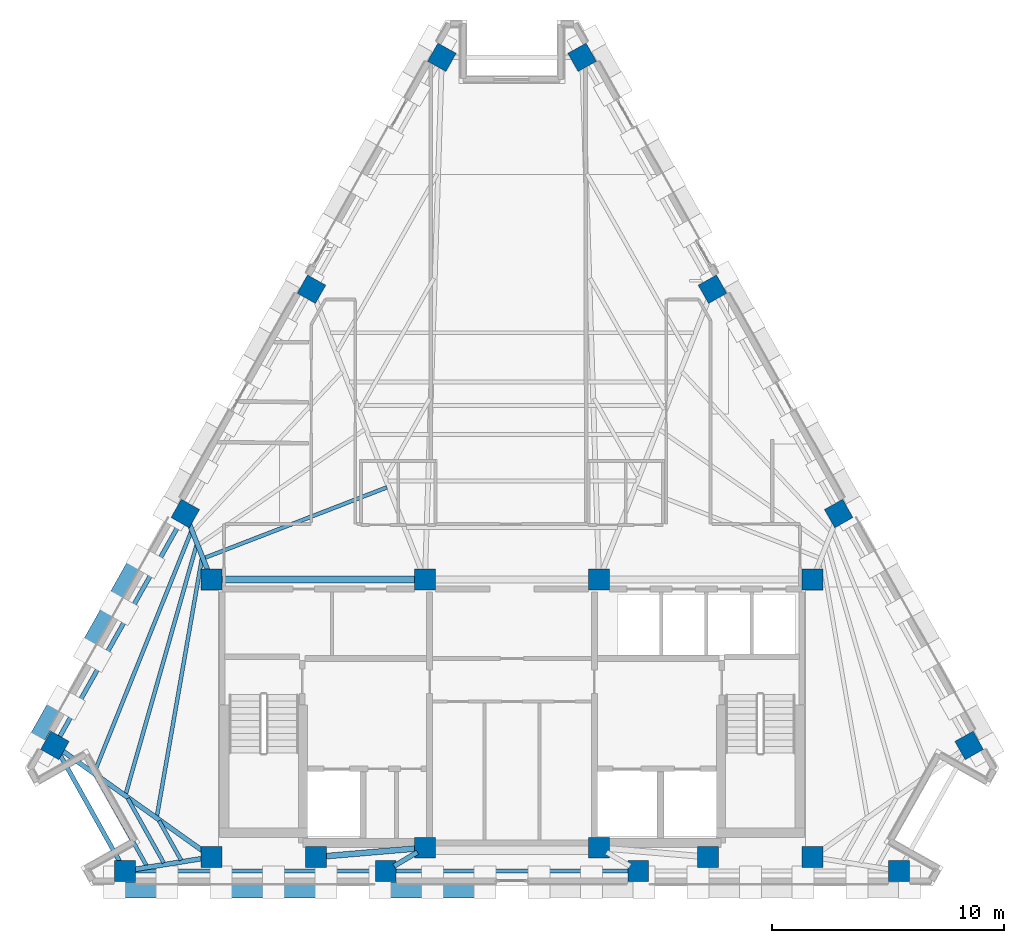
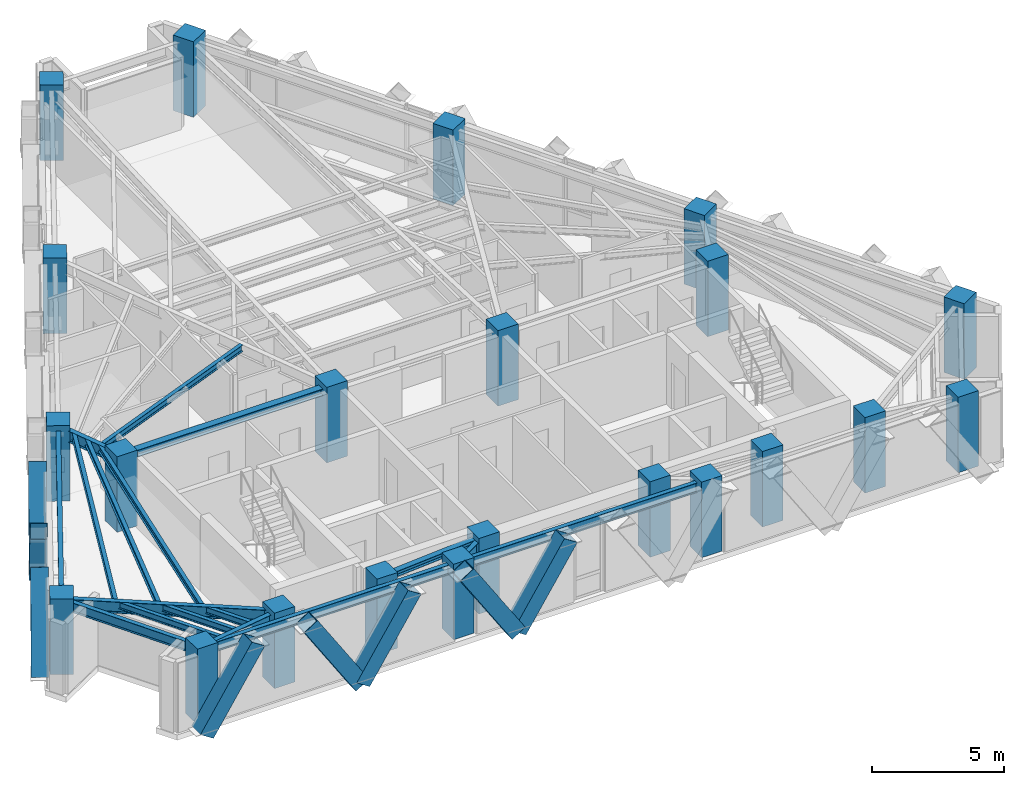
# One storey, part 1 of 12: 22 columns, 17 beams, 8 members.
"""IFC4 building model written with IfcOpenShell, lengths in metres."""

from ifc_helpers import new_model, si_unit, direction, frame, origin, origin_2d, place, context, subcontext, project, spatial, rectangle, hollow_rectangle, i_section, extrude, material, material_profile, profile_set, type_object, element, save


model = new_model("IFC4")

# Units and contexts
model_context = context("Model", 3, precision=1e-05, world=origin(), true_north=direction((0.0, 1.0)))
body_context = subcontext(model_context, "Body", "Model", "MODEL_VIEW")
ifc_project = project(units=[si_unit("LENGTHUNIT", "METRE"), si_unit("AREAUNIT", "SQUARE_METRE"), si_unit("VOLUMEUNIT", "CUBIC_METRE"), si_unit("PLANEANGLEUNIT", "RADIAN"), si_unit("MASSUNIT", "GRAM", prefix="KILO")], contexts=[model_context])

# Site, building, storey
site_placement = place(None, origin())
site = spatial("IfcSite", under=ifc_project, at=site_placement, CompositionType="ELEMENT")
building_placement = place(site_placement, origin())
building = spatial("IfcBuilding", under=site, at=building_placement, Name="Quenlor Broadcast Tower", CompositionType="ELEMENT")
storey_placement = place(building_placement, frame((0.0, 0.0, 200.89990234375)))
storey = spatial("IfcBuildingStorey", under=building, at=storey_placement, Name="L55", CompositionType="ELEMENT", Elevation=200.89990234375)

# Columns
ifc_material_1 = material(Name="Concrete C50/60", Category="concrete")
ifc_material_profile_1 = material_profile(ifc_material_1, rectangle(XDim=0.89990234375, YDim=0.89990234375, at=origin_2d()))
ifc_profile_set_1 = profile_set([ifc_material_profile_1], Name="Concrete C50/60 RC900x900")
column_type_1 = type_object("IfcColumnType", Name="Core Corner Column Upper Concrete C50/60 900", PredefinedType="COLUMN", material=ifc_profile_set_1)
for number, where, z_axis, x_axis, name in (
    (1, (-12.949951171875, -16.75, 0.0), (0.0, 0.0, 1.0), (1.0, 0.0, 0.0), "L55 Core Column CC1"),
    (2, (-8.449951171875, -16.75, 0.0), (0.0, 0.0, 1.0), (1.0, 0.0, 0.0), "L55 Core Column CC2"),
    (3, (-3.75, -16.35009765625, 0.0), (0.0, 0.0, 1.0), (1.0, 0.0, 0.0), "L55 Core Column CC3"),
    (4, (3.75, -16.35009765625, 0.0), (0.0, 0.0, 1.0), (1.0, 0.0, 0.0), "L55 Core Column CC4"),
    (5, (8.449951171875, -16.75, 0.0), (0.0, 0.0, 1.0), (1.0, 0.0, 0.0), "L55 Core Column CC5"),
    (6, (12.949951171875, -16.75, 0.0), (0.0, 0.0, 1.0), (1.0, 0.0, 0.0), "L55 Core Column CC6"),
    (7, (-12.949951171875, -4.800048828125, 0.0), (0.0, 0.0, 1.0), (1.0, 0.0, 0.0), "L55 Core Column CC7"),
    (8, (-3.75, -4.800048828125, 0.0), (0.0, 0.0, 1.0), (1.0, 0.0, 0.0), "L55 Core Column CC8"),
    (9, (3.75, -4.800048828125, 0.0), (0.0, 0.0, 1.0), (1.0, 0.0, 0.0), "L55 Core Column CC9"),
    (10, (12.949951171875, -4.800048828125, 0.0), (0.0, 0.0, 1.0), (1.0, 0.0, 0.0), "L55 Core Column CC10"),
):
    element("IfcColumn", number, at=place(storey_placement, frame(where, z_axis=z_axis, x_axis=x_axis)), inside=storey, type_object=column_type_1, Name=name, PredefinedType="COLUMN", context=body_context, shape_type="SweptSolid", body=[
        extrude(rectangle(XDim=0.89990234375, YDim=0.89990234375, at=origin_2d()), origin(), (0.0, 0.0, 1.0), 3.5),
    ])
ifc_material_2 = material(Name="Concrete C50/60", Category="concrete")
ifc_material_profile_2 = material_profile(ifc_material_2, rectangle(XDim=0.89990234375, YDim=0.89990234375, at=origin_2d()))
ifc_profile_set_2 = profile_set([ifc_material_profile_2], Name="Concrete C50/60 RC900x900")
column_type_2 = type_object("IfcColumnType", Name="Tower Perimeter Column Z4 Concrete C50/60 900", PredefinedType="COLUMN", material=ifc_profile_set_2)
for number, where, z_axis, x_axis, name in (
    (11, (-16.67578125, -17.35009765625, 0.0), (0.0, 0.0, 1.0), (0.0, 1.0, 0.0), "L55 Perimeter Column S1"),
    (12, (-5.437744140625, -17.35009765625, 0.0), (0.0, 0.0, 1.0), (0.0, 1.0, 0.0), "L55 Perimeter Column S2"),
    (13, (5.437744140625, -17.35009765625, 0.0), (0.0, 0.0, 1.0), (0.0, 1.0, 0.0), "L55 Perimeter Column S3"),
    (14, (16.67578125, -17.35009765625, 0.0), (0.0, 0.0, 1.0), (0.0, 1.0, 0.0), "L55 Perimeter Column S4"),
    (15, (19.696533203125, -11.941650390625, 0.0), (0.0, 0.0, 1.0), (0.871575139605, 0.490261946333, 0.0), "L55 Perimeter Column NE1"),
    (16, (14.077392578125, -1.952392578125, 0.0), (0.0, 0.0, 1.0), (0.871575139605, 0.490261946333, 0.0), "L55 Perimeter Column NE2"),
    (17, (8.6396484375, 7.71484375, 0.0), (0.0, 0.0, 1.0), (0.871575139605, 0.490261946333, 0.0), "L55 Perimeter Column NE3"),
    (18, (3.0205078125, 17.704345703125, 0.0), (0.0, 0.0, 1.0), (0.871575139605, 0.490261946333, 0.0), "L55 Perimeter Column NE4"),
    (19, (-3.0205078125, 17.704345703125, 0.0), (0.0, 0.0, 1.0), (-0.871575139605, 0.490261946333, 0.0), "L55 Perimeter Column NW1"),
    (20, (-8.6396484375, 7.71484375, 0.0), (0.0, 0.0, 1.0), (-0.871575139605, 0.490261946333, 0.0), "L55 Perimeter Column NW2"),
    (21, (-14.077392578125, -1.952392578125, 0.0), (0.0, 0.0, 1.0), (-0.871575139605, 0.490261946333, 0.0), "L55 Perimeter Column NW3"),
    (22, (-19.696533203125, -11.941650390625, 0.0), (0.0, 0.0, 1.0), (-0.871575139605, 0.490261946333, 0.0), "L55 Perimeter Column NW4"),
):
    element("IfcColumn", number, at=place(storey_placement, frame(where, z_axis=z_axis, x_axis=x_axis)), inside=storey, type_object=column_type_2, Name=name, PredefinedType="COLUMN", context=body_context, shape_type="SweptSolid", body=[
        extrude(rectangle(XDim=0.89990234375, YDim=0.89990234375, at=origin_2d()), origin(), (0.0, 0.0, 1.0), 3.5),
    ])

# Beams
ifc_material_3 = material(Name="Steel S355", Category="steel")
ifc_material_profile_3 = material_profile(ifc_material_3, i_section(OverallWidth=0.25390625, OverallDepth=0.25390625, WebThickness=0.008544921875, FlangeThickness=0.01416015625, FilletRadius=0.013916015625, at=origin_2d()))
ifc_profile_set_3 = profile_set([ifc_material_profile_3], Name="Steel S355 250UC72.9")
beam_type_1 = type_object("IfcBeamType", Name="Core Opening Lintel Beam Steel S355 250UC72.9", PredefinedType="LINTEL", material=ifc_profile_set_3)
beam_1_placement = place(storey_placement, frame((-8.09130859375, -16.719482421875, 3.123291015625), z_axis=(0.996399763903, 0.084779186679, 0.0), x_axis=(-0.084779186679, 0.996399763903, 0.0)))
element("IfcBeam", 23, at=beam_1_placement, inside=storey, type_object=beam_type_1, Name="L55 Core Opening Lintel Beam 4", PredefinedType="LINTEL", context=body_context, shape_type="SweptSolid", body=[
    extrude(i_section(OverallWidth=0.25390625, OverallDepth=0.25390625, WebThickness=0.008544921875, FlangeThickness=0.01416015625, FilletRadius=0.013916015625, at=origin_2d()), origin(), (0.0, 0.0, 1.0), 3.9970703125),
])
ifc_material_4 = material(Name="Steel S355", Category="steel")
ifc_material_profile_4 = material_profile(ifc_material_4, i_section(OverallWidth=0.306884765625, OverallDepth=0.314697265625, WebThickness=0.011962890625, FlangeThickness=0.018798828125, FilletRadius=0.0166015625, at=origin_2d()))
ifc_profile_set_4 = profile_set([ifc_material_profile_4], Name="Steel S355 310UC118")
beam_type_2 = type_object("IfcBeamType", Name="Core Tie Beam Steel S355 310UC118", PredefinedType="BEAM", material=ifc_profile_set_4)
beam_2_placement = place(storey_placement, frame((-12.590087890625, -4.800048828125, 3.0927734375), z_axis=(1.0, 0.0, 0.0), x_axis=(0.0, 1.0, 0.0)))
element("IfcBeam", 24, at=beam_2_placement, inside=storey, type_object=beam_type_2, Name="L55 Core Tie Beam 1", PredefinedType="BEAM", context=body_context, shape_type="SweptSolid", body=[
    extrude(i_section(OverallWidth=0.306884765625, OverallDepth=0.314697265625, WebThickness=0.011962890625, FlangeThickness=0.018798828125, FilletRadius=0.0166015625, at=origin_2d()), origin(), (0.0, 0.0, 1.0), 8.47998046875),
])

# Members
ifc_material_5 = material(Name="Steel S355", Category="steel")
ifc_material_profile_5 = material_profile(ifc_material_5, hollow_rectangle(XDim=0.679931640625, YDim=0.679931640625, WallThickness=0.02490234375, at=origin_2d()))
ifc_profile_set_5 = profile_set([ifc_material_profile_5], Name="Steel S355 RHS680x680x25")
member_type = type_object("IfcMemberType", Name="Perimeter Diagonal Lattice Brace Z3-Z4 Steel S355 RHS680x25", PredefinedType="BRACE", material=ifc_profile_set_5)
for number, where, z_axis, x_axis, name in (
    (25, (-3.41162109375, -18.169921875, -0.119873046875), (0.541794306908, 0.0, 0.840511111766), (0.0, 1.0, 0.0), "L55 Perimeter Diamond Lattice S-C3B"),
    (26, (-3.43896484375, -18.169921875, -0.119873046875), (-0.541794306908, 0.0, 0.840511111766), (0.0, -1.0, 0.0), "L55 Perimeter Diamond Lattice S-C4S"),
    (27, (-10.261962890625, -18.169921875, -0.119873046875), (0.541794306908, 0.0, 0.840511111766), (0.0, 1.0, 0.0), "L55 Perimeter Diamond Lattice S-C4B"),
    (28, (-10.289306640625, -18.169921875, -0.119873046875), (-0.541794306908, 0.0, 0.840511111766), (0.0, -1.0, 0.0), "L55 Perimeter Diamond Lattice S-C5S"),
    (29, (-17.1123046875, -18.169921875, -0.119873046875), (0.541794306908, 0.0, 0.840511111766), (0.0, 1.0, 0.0), "L55 Perimeter Diamond Lattice S-C5B"),
):
    element("IfcMember", number, at=place(storey_placement, frame(where, z_axis=z_axis, x_axis=x_axis)), inside=storey, type_object=member_type, Name=name, PredefinedType="BRACE", context=body_context, shape_type="SweptSolid", body=[
        extrude(hollow_rectangle(XDim=0.679931640625, YDim=0.679931640625, WallThickness=0.02490234375, at=origin_2d()), origin(), (0.0, 0.0, 1.0), 4.1640625),
    ])
member_1_placement = place(storey_placement, frame((-20.63916015625, -11.94482421875, -0.119873046875), z_axis=(0.269547055694, 0.479136497832, 0.835327840559), x_axis=(-0.871550060774, 0.49030652817, 0.0)))
element("IfcMember", 30, at=member_1_placement, inside=storey, type_object=member_type, Name="L55 Perimeter Diamond Lattice NW-C1S", PredefinedType="BRACE", context=body_context, shape_type="SweptSolid", body=[
    extrude(hollow_rectangle(XDim=0.679931640625, YDim=0.679931640625, WallThickness=0.02490234375, at=origin_2d()), origin(), (0.0, 0.0, 1.0), 4.18994140625),
])
member_2_placement = place(storey_placement, frame((-17.2236328125, -5.873046875, -0.119873046875), z_axis=(-0.269539530269, -0.479181387144, 0.835304519224), x_axis=(0.871575537125, -0.490261239633, 0.0)))
element("IfcMember", 31, at=member_2_placement, inside=storey, type_object=member_type, Name="L55 Perimeter Diamond Lattice NW-C1B", PredefinedType="BRACE", context=body_context, shape_type="SweptSolid", body=[
    extrude(hollow_rectangle(XDim=0.679931640625, YDim=0.679931640625, WallThickness=0.02490234375, at=origin_2d()), origin(), (0.0, 0.0, 1.0), 4.190185546875),
])
member_3_placement = place(storey_placement, frame((-17.2099609375, -5.8486328125, -0.119873046875), z_axis=(0.269547055694, 0.479136497832, 0.835327840559), x_axis=(-0.871550060774, 0.49030652817, 0.0)))
element("IfcMember", 32, at=member_3_placement, inside=storey, type_object=member_type, Name="L55 Perimeter Diamond Lattice NW-C2S", PredefinedType="BRACE", context=body_context, shape_type="SweptSolid", body=[
    extrude(hollow_rectangle(XDim=0.679931640625, YDim=0.679931640625, WallThickness=0.02490234375, at=origin_2d()), origin(), (0.0, 0.0, 1.0), 4.18994140625),
])

# Beams
ifc_material_6 = material(Name="Steel S355", Category="steel")
ifc_material_profile_6 = material_profile(ifc_material_6, i_section(OverallWidth=0.18994140625, OverallDepth=0.453857421875, WebThickness=0.008544921875, FlangeThickness=0.0126953125, FilletRadius=0.011474609375, at=origin_2d()))
ifc_profile_set_6 = profile_set([ifc_material_profile_6], Name="Steel S355 460UB67.1")
beam_type_3 = type_object("IfcBeamType", Name="Perimeter Spandrel Beam Z4 Steel S355 460UB67.1", PredefinedType="SPANDREL", material=ifc_profile_set_6)
beam_3_placement = place(storey_placement, frame((-16.265869140625, -17.35009765625, 3.023193359375), z_axis=(1.0, 0.0, 0.0), x_axis=(0.0, 1.0, 0.0)))
element("IfcBeam", 33, at=beam_3_placement, inside=storey, type_object=beam_type_3, Name="L55 Spandrel Beam S1-S2", PredefinedType="SPANDREL", context=body_context, shape_type="SweptSolid", body=[
    extrude(i_section(OverallWidth=0.18994140625, OverallDepth=0.453857421875, WebThickness=0.008544921875, FlangeThickness=0.0126953125, FilletRadius=0.011474609375, at=origin_2d()), origin(), (0.0, 0.0, 1.0), 10.41796875),
])
beam_4_placement = place(storey_placement, frame((-5.02783203125, -17.35009765625, 3.023193359375), z_axis=(1.0, 0.0, 0.0), x_axis=(0.0, 1.0, 0.0)))
element("IfcBeam", 34, at=beam_4_placement, inside=storey, type_object=beam_type_3, Name="L55 Spandrel Beam S2-S3", PredefinedType="SPANDREL", context=body_context, shape_type="SweptSolid", body=[
    extrude(i_section(OverallWidth=0.18994140625, OverallDepth=0.453857421875, WebThickness=0.008544921875, FlangeThickness=0.0126953125, FilletRadius=0.011474609375, at=origin_2d()), origin(), (0.0, 0.0, 1.0), 10.0556640625),
])
beam_5_placement = place(storey_placement, frame((-14.2783203125, -2.3095703125, 3.023193359375), z_axis=(-0.490272131974, -0.871569410093, 0.0), x_axis=(0.871569410093, -0.490272131974, 0.0)))
element("IfcBeam", 35, at=beam_5_placement, inside=storey, type_object=beam_type_3, Name="L55 Spandrel Beam NW3-NW4", PredefinedType="SPANDREL", context=body_context, shape_type="SweptSolid", body=[
    extrude(i_section(OverallWidth=0.18994140625, OverallDepth=0.453857421875, WebThickness=0.008544921875, FlangeThickness=0.0126953125, FilletRadius=0.011474609375, at=origin_2d()), origin(), (0.0, 0.0, 1.0), 10.6416015625),
])
beam_6_placement = place(storey_placement, frame((-19.49658203125, -12.2998046875, 3.023193359375), z_axis=(0.487647250206, -0.8730407547, 0.0), x_axis=(0.8730407547, 0.487647250206, 0.0)))
element("IfcBeam", 36, at=beam_6_placement, inside=storey, type_object=beam_type_3, Name="L55 Spandrel Beam NW4-S1", PredefinedType="SPANDREL", context=body_context, shape_type="SweptSolid", body=[
    extrude(i_section(OverallWidth=0.18994140625, OverallDepth=0.453857421875, WebThickness=0.008544921875, FlangeThickness=0.0126953125, FilletRadius=0.011474609375, at=origin_2d()), origin(), (0.0, 0.0, 1.0), 5.37451171875),
])
ifc_material_7 = material(Name="Steel S355", Category="steel")
ifc_material_profile_7 = material_profile(ifc_material_7, i_section(OverallWidth=0.166015625, OverallDepth=0.30712890625, WebThickness=0.006591796875, FlangeThickness=0.01171875, FilletRadius=0.011474609375, at=origin_2d()))
ifc_profile_set_7 = profile_set([ifc_material_profile_7], Name="Steel S355 310UB46.2")
beam_type_4 = type_object("IfcBeamType", Name="Tower Composite Joist Z4-Z5 Steel S355 310UB46.2", PredefinedType="JOIST", material=ifc_profile_set_7)
beam_7_placement = place(storey_placement, frame((-13.236083984375, -3.85986328125, 3.096435546875), z_axis=(0.932639299023, 0.360810113381, 0.0), x_axis=(-0.360810113381, 0.932639299023, 0.0)))
element("IfcBeam", 37, at=beam_7_placement, inside=storey, type_object=beam_type_4, Name="L55 Secondary Composite Joist 7", PredefinedType="JOIST", context=body_context, shape_type="SweptSolid", body=[
    extrude(i_section(OverallWidth=0.166015625, OverallDepth=0.30712890625, WebThickness=0.006591796875, FlangeThickness=0.01171875, FilletRadius=0.011474609375, at=origin_2d()), origin(), (0.0, 0.0, 1.0), 8.413330078125),
])
beam_8_placement = place(storey_placement, frame((-15.297607421875, -14.98828125, 3.096435546875), z_axis=(0.172003691938, 0.985096304916, 0.0), x_axis=(-0.985096304916, 0.172003691938, 0.0)))
element("IfcBeam", 38, at=beam_8_placement, inside=storey, type_object=beam_type_4, Name="L55 Secondary Composite Joist 13", PredefinedType="JOIST", context=body_context, shape_type="SweptSolid", body=[
    extrude(i_section(OverallWidth=0.166015625, OverallDepth=0.30712890625, WebThickness=0.006591796875, FlangeThickness=0.01171875, FilletRadius=0.011474609375, at=origin_2d()), origin(), (0.0, 0.0, 1.0), 11.274169921875),
])
beam_9_placement = place(storey_placement, frame((-16.638671875, -14.028564453125, 3.096435546875), z_axis=(0.273447576454, 0.961886907558, 0.0), x_axis=(-0.961886907558, 0.273447576454, 0.0)))
element("IfcBeam", 39, at=beam_9_placement, inside=storey, type_object=beam_type_4, Name="L55 Secondary Composite Joist 14", PredefinedType="JOIST", context=body_context, shape_type="SweptSolid", body=[
    extrude(i_section(OverallWidth=0.166015625, OverallDepth=0.30712890625, WebThickness=0.006591796875, FlangeThickness=0.01171875, FilletRadius=0.011474609375, at=origin_2d()), origin(), (0.0, 0.0, 1.0), 11.142333984375),
])
beam_10_placement = place(storey_placement, frame((-17.97998046875, -13.069580078125, 3.096435546875), z_axis=(0.373094895103, 0.927793187757, 0.0), x_axis=(-0.927793187757, 0.373094895103, 0.0)))
element("IfcBeam", 40, at=beam_10_placement, inside=storey, type_object=beam_type_4, Name="L55 Secondary Composite Joist 15", PredefinedType="JOIST", context=body_context, shape_type="SweptSolid", body=[
    extrude(i_section(OverallWidth=0.166015625, OverallDepth=0.30712890625, WebThickness=0.006591796875, FlangeThickness=0.01171875, FilletRadius=0.011474609375, at=origin_2d()), origin(), (0.0, 0.0, 1.0), 11.13525390625),
])
beam_11_placement = place(storey_placement, frame((-14.255859375, -16.88427734375, 3.096435546875), z_axis=(-0.487590799665, 0.873072283423, 0.0), x_axis=(-0.873072283423, -0.487590799665, 0.0)))
element("IfcBeam", 41, at=beam_11_placement, inside=storey, type_object=beam_type_4, Name="L55 Secondary Composite Joist 19", PredefinedType="JOIST", context=body_context, shape_type="SweptSolid", body=[
    extrude(i_section(OverallWidth=0.166015625, OverallDepth=0.30712890625, WebThickness=0.006591796875, FlangeThickness=0.01171875, FilletRadius=0.011474609375, at=origin_2d()), origin(), (0.0, 0.0, 1.0), 1.9462890625),
])
beam_12_placement = place(storey_placement, frame((-15.0009765625, -17.004150390625, 3.096435546875), z_axis=(-0.487646119388, 0.87304138633, 0.0), x_axis=(-0.87304138633, -0.487646119388, 0.0)))
element("IfcBeam", 42, at=beam_12_placement, inside=storey, type_object=beam_type_4, Name="L55 Secondary Composite Joist 20", PredefinedType="JOIST", context=body_context, shape_type="SweptSolid", body=[
    extrude(i_section(OverallWidth=0.166015625, OverallDepth=0.30712890625, WebThickness=0.006591796875, FlangeThickness=0.01171875, FilletRadius=0.011474609375, at=origin_2d()), origin(), (0.0, 0.0, 1.0), 3.18505859375),
])
beam_13_placement = place(storey_placement, frame((-15.74609375, -17.124267578125, 3.096435546875), z_axis=(-0.487604899573, 0.873064408799, 0.0), x_axis=(-0.873064408799, -0.487604899573, 0.0)))
element("IfcBeam", 43, at=beam_13_placement, inside=storey, type_object=beam_type_4, Name="L55 Secondary Composite Joist 21", PredefinedType="JOIST", context=body_context, shape_type="SweptSolid", body=[
    extrude(i_section(OverallWidth=0.166015625, OverallDepth=0.30712890625, WebThickness=0.006591796875, FlangeThickness=0.01171875, FilletRadius=0.011474609375, at=origin_2d()), origin(), (0.0, 0.0, 1.0), 4.424072265625),
])
ifc_material_8 = material(Name="Steel S355", Category="steel")
ifc_material_profile_8 = material_profile(ifc_material_8, i_section(OverallWidth=0.208984375, OverallDepth=0.5283203125, WebThickness=0.009521484375, FlangeThickness=0.01318359375, FilletRadius=0.013916015625, at=origin_2d()))
ifc_profile_set_8 = profile_set([ifc_material_profile_8], Name="Steel S355 530UB82.0")
beam_type_5 = type_object("IfcBeamType", Name="Tower Primary Floor Beam Z4 Steel S355 530UB82.0", PredefinedType="BEAM", material=ifc_profile_set_8)
beam_14_placement = place(storey_placement, frame((-16.27099609375, -17.284912109375, 2.986083984375), z_axis=(0.987268490875, 0.159062650942, 0.0), x_axis=(-0.159062650942, 0.987268490875, 0.0)))
element("IfcBeam", 44, at=beam_14_placement, inside=storey, type_object=beam_type_5, Name="L55 Primary Radial Beam S1", PredefinedType="BEAM", context=body_context, shape_type="SweptSolid", body=[
    extrude(i_section(OverallWidth=0.208984375, OverallDepth=0.5283203125, WebThickness=0.009521484375, FlangeThickness=0.01318359375, FilletRadius=0.013916015625, at=origin_2d()), origin(), (0.0, 0.0, 1.0), 2.98388671875),
])
beam_15_placement = place(storey_placement, frame((-5.085205078125, -17.14111328125, 2.986083984375), z_axis=(0.86032875258, 0.509739578102, 0.0), x_axis=(-0.509739578102, 0.86032875258, 0.0)))
element("IfcBeam", 45, at=beam_15_placement, inside=storey, type_object=beam_type_5, Name="L55 Primary Radial Beam S2", PredefinedType="BEAM", context=body_context, shape_type="SweptSolid", body=[
    extrude(i_section(OverallWidth=0.208984375, OverallDepth=0.5283203125, WebThickness=0.009521484375, FlangeThickness=0.01318359375, FilletRadius=0.013916015625, at=origin_2d()), origin(), (0.0, 0.0, 1.0), 1.171875),
])
beam_16_placement = place(storey_placement, frame((-13.926513671875, -2.33349609375, 2.986083984375), z_axis=(0.368110359783, -0.92978210513, 0.0), x_axis=(0.92978210513, 0.368110359783, 0.0)))
element("IfcBeam", 46, at=beam_16_placement, inside=storey, type_object=beam_type_5, Name="L55 Primary Radial Beam NW3", PredefinedType="BEAM", context=body_context, shape_type="SweptSolid", body=[
    extrude(i_section(OverallWidth=0.208984375, OverallDepth=0.5283203125, WebThickness=0.009521484375, FlangeThickness=0.01318359375, FilletRadius=0.013916015625, at=origin_2d()), origin(), (0.0, 0.0, 1.0), 2.27294921875),
])
beam_17_placement = place(storey_placement, frame((-19.362548828125, -12.1796875, 2.986083984375), z_axis=(0.814329531787, -0.580402802938, 0.0), x_axis=(0.580402802938, 0.814329531787, 0.0)))
element("IfcBeam", 47, at=beam_17_placement, inside=storey, type_object=beam_type_5, Name="L55 Primary Radial Beam NW4", PredefinedType="BEAM", context=body_context, shape_type="SweptSolid", body=[
    extrude(i_section(OverallWidth=0.208984375, OverallDepth=0.5283203125, WebThickness=0.009521484375, FlangeThickness=0.01318359375, FilletRadius=0.013916015625, at=origin_2d()), origin(), (0.0, 0.0, 1.0), 7.49462890625),
])

save(model, "model.ifc")
